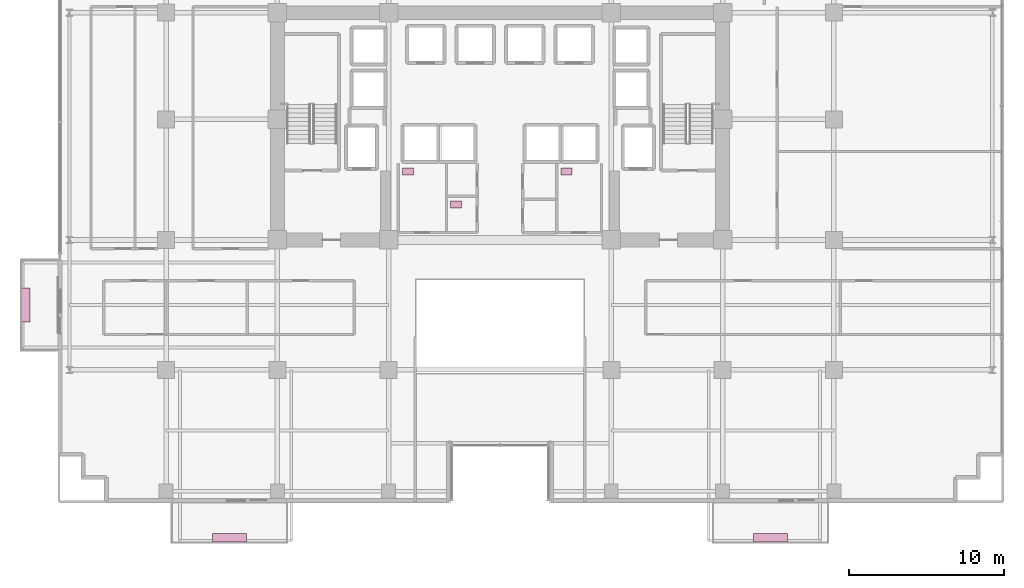
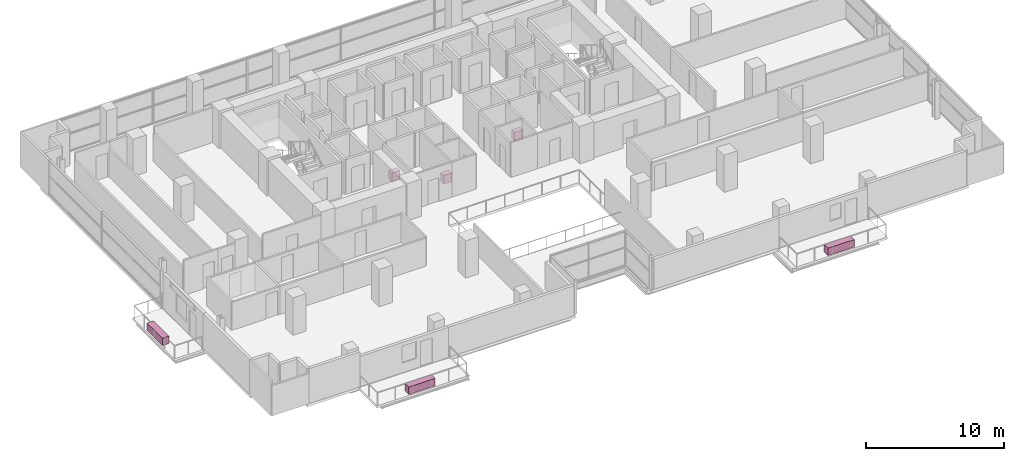
# One storey, part 31 of 31: 6 furnishings.
"""IFC4 building model written with IfcOpenShell, lengths in metres."""

from ifc_helpers import new_model, si_unit, direction, frame, origin, origin_2d, place, context, subcontext, project, spatial, rectangle, extrude, source, transform, mapped, material, type_object, element, save


model = new_model("IFC4")

# Units and contexts
model_context = context("Model", 3, precision=1e-05, world=origin(), true_north=direction((0.0, 1.0)))
body_context = subcontext(model_context, "Body", "Model", "MODEL_VIEW")
ifc_project = project(units=[si_unit("LENGTHUNIT", "METRE"), si_unit("AREAUNIT", "SQUARE_METRE"), si_unit("VOLUMEUNIT", "CUBIC_METRE"), si_unit("PLANEANGLEUNIT", "RADIAN"), si_unit("MASSUNIT", "GRAM", prefix="KILO")], contexts=[model_context])

# Site, building, storey
site_placement = place(None, origin())
site = spatial("IfcSite", under=ifc_project, at=site_placement, CompositionType="ELEMENT")
building_placement = place(site_placement, origin())
building = spatial("IfcBuilding", under=site, at=building_placement, Name="Zarnakvel Exchange Tower", CompositionType="ELEMENT")
storey_placement = place(building_placement, frame((0.0, 0.0, 67.0)))
storey = spatial("IfcBuildingStorey", under=building, at=storey_placement, Name="L18", CompositionType="ELEMENT", Elevation=67.0)

# Furnishings
ifc_material_1 = material(Name="Architectural Bronze Anodised Aluminium", Category="aluminium")
furnishing_element_type_1 = type_object("IfcFurnishingElementType", Name="PLNT-01", material=ifc_material_1)
shared_shape_1 = source(origin(), body_context, "Body", "SweptSolid", [
    extrude(rectangle(XDim=2.199951171875, YDim=0.550048828125, at=origin_2d()), origin(), (0.0, 0.0, 1.0), 0.64990234375),
])
for number, where, z_axis, x_axis, name in (
    (1, (-17.5, -20.469970703125, -0.034912109375), (0.0, 0.0, 1.0), (1.0, 0.0, 0.0), "L18 Balcony Greenery Planter BAL-L18-SW"),
    (2, (17.5, -20.469970703125, -0.034912109375), (0.0, 0.0, 1.0), (1.0, 0.0, 0.0), "L18 Balcony Greenery Planter BAL-L18-SE"),
    (3, (-30.669921875, -5.39990234375, -0.034912109375), (0.0, 0.0, 1.0), (0.0, 1.0, 0.0), "L18 Balcony Greenery Planter BAL-L18-W"),
):
    element("IfcFurnishingElement", number, at=place(storey_placement, frame(where, z_axis=z_axis, x_axis=x_axis)), inside=storey, type_object=furnishing_element_type_1, Name=name, ObjectType="PLANTER", context=body_context, shape_type="MappedRepresentation", body=[
        mapped(shared_shape_1, transform((0.0, 0.0, 0.0), x_axis=(1.0, 0.0, 0.0), y_axis=(0.0, 1.0, 0.0), z_axis=(0.0, 0.0, 1.0), scale=1.0)),
    ])
ifc_material_2 = material(Name="Vitreous China Sanitaryware", Category="ceramic")
furnishing_element_type_2 = type_object("IfcFurnishingElementType", Name="SAN-WC", material=ifc_material_2)
shared_shape_2 = source(origin(), body_context, "Body", "SweptSolid", [
    extrude(rectangle(XDim=0.699951171875, YDim=0.449951171875, at=origin_2d()), origin(), (0.0, 0.0, 1.0), 0.780029296875),
])
for number, where, z_axis, x_axis, name in (
    (4, (-5.949951171875, 3.22998046875, 0.0), (0.0, 0.0, 1.0), (1.0, 0.0, 0.0), "L18 Sanitary Fixture (Male Toilet)"),
    (5, (-2.840087890625, 1.10009765625, 0.0), (0.0, 0.0, 1.0), (1.0, 0.0, 0.0), "L18 Sanitary Fixture (Accessible Toilet)"),
    (6, (4.31005859375, 3.22998046875, 0.0), (0.0, 0.0, 1.0), (1.0, 0.0, 0.0), "L18 Sanitary Fixture (Female Toilet)"),
):
    element("IfcFurnishingElement", number, at=place(storey_placement, frame(where, z_axis=z_axis, x_axis=x_axis)), inside=storey, type_object=furnishing_element_type_2, Name=name, ObjectType="SANITARY_FIXTURE", context=body_context, shape_type="MappedRepresentation", body=[
        mapped(shared_shape_2, transform((0.0, 0.0, 0.0), x_axis=(1.0, 0.0, 0.0), y_axis=(0.0, 1.0, 0.0), z_axis=(0.0, 0.0, 1.0), scale=1.0)),
    ])

save(model, "model.ifc")
